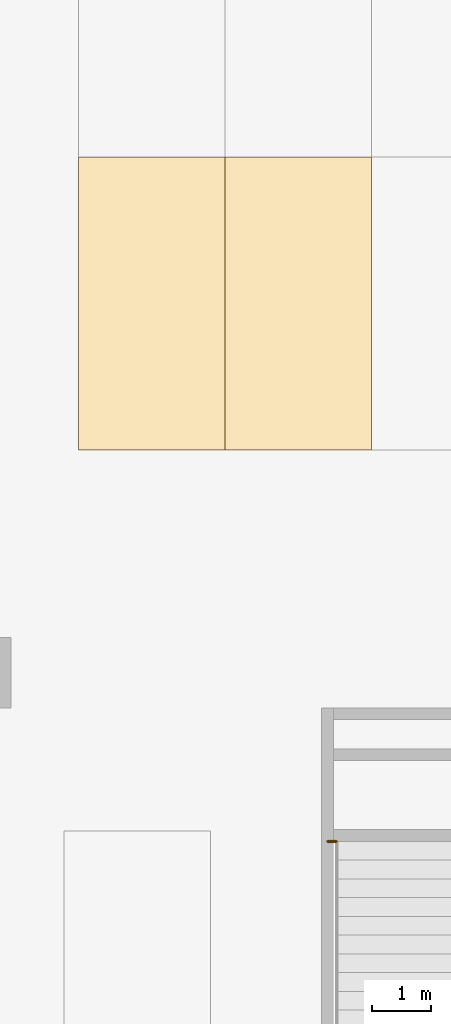
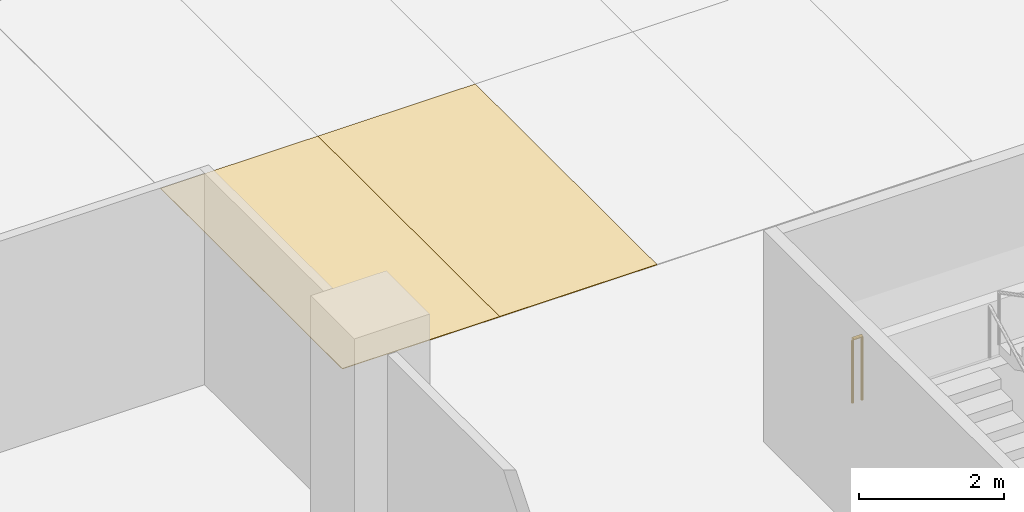
# One storey, part 20 of 31: 2 coverings, 1 railing.
"""IFC4 building model written with IfcOpenShell, lengths in metres."""

from ifc_helpers import new_model, si_unit, direction, frame, origin, origin_2d, place, context, subcontext, project, spatial, polyline, circle, outline, extrude, source, transform, mapped, material, layer, layer_set, type_object, element, save


model = new_model("IFC4")

# Units and contexts
model_context = context("Model", 3, precision=1e-05, world=origin(), true_north=direction((0.0, 1.0)))
body_context = subcontext(model_context, "Body", "Model", "MODEL_VIEW")
ifc_project = project(units=[si_unit("LENGTHUNIT", "METRE"), si_unit("AREAUNIT", "SQUARE_METRE"), si_unit("VOLUMEUNIT", "CUBIC_METRE"), si_unit("PLANEANGLEUNIT", "RADIAN"), si_unit("MASSUNIT", "GRAM", prefix="KILO")], contexts=[model_context])

# Site, building, storey
site_placement = place(None, origin())
site = spatial("IfcSite", under=ifc_project, at=site_placement, CompositionType="ELEMENT")
building_placement = place(site_placement, origin())
building = spatial("IfcBuilding", under=site, at=building_placement, Name="Altepetl Exchange Towers", CompositionType="ELEMENT")
storey_placement = place(building_placement, frame((0.0, 0.0, -4.0)))
storey = spatial("IfcBuildingStorey", under=building, at=storey_placement, Name="B1 Basement services", CompositionType="ELEMENT", Elevation=-4.0)

# Coverings
ifc_material_1 = material(Name="Road marking paint")
ifc_layer = layer(ifc_material_1, 0.010009765625)
ifc_layer_set = layer_set([ifc_layer], Name="Road marking paint")
covering_type = type_object("IfcCoveringType", Name="Parking bay marking 2500 x 5000", PredefinedType="FLOORING", material=ifc_layer_set)
covering_1_placement = place(storey_placement, origin())
element("IfcCovering", 1, at=covering_1_placement, inside=storey, type_object=covering_type, Name="Parking bay B1-040", PredefinedType="FLOORING", context=body_context, shape_type="SweptSolid", body=[
    extrude(outline(polyline([(91.75, 12.800048828125), (94.25, 12.800048828125), (94.25, 17.800048828125), (91.75, 17.800048828125), (91.75, 12.800048828125)])), origin(), (0.0, 0.0, 1.0), 0.010009765625),
])
covering_2_placement = place(storey_placement, origin())
element("IfcCovering", 2, at=covering_2_placement, inside=storey, type_object=covering_type, Name="Parking bay B1-041", PredefinedType="FLOORING", context=body_context, shape_type="SweptSolid", body=[
    extrude(outline(polyline([(94.25, 12.800048828125), (96.75, 12.800048828125), (96.75, 17.800048828125), (94.25, 17.800048828125), (94.25, 12.800048828125)])), origin(), (0.0, 0.0, 1.0), 0.010009765625),
])

# Railing
ifc_material_2 = material(Name="Laminated glass and steel", Category="steel")
railing_type = type_object("IfcRailingType", Name="Hall gallery guard 1100", PredefinedType="GUARDRAIL", material=ifc_material_2)
shared_shape = source(origin(), body_context, "Body", "SweptSolid", [
    extrude(circle(Radius=0.02001953125, at=origin_2d()), origin(), (0.0, 0.0, 1.0), 1.050048828125),
])
railing_placement = place(storey_placement, frame((96.0, 6.1201171875, 2.0)))
element("IfcRailing", 3, at=railing_placement, inside=storey, type_object=railing_type, Name="rail:P:B1:ES2land0", PredefinedType="GUARDRAIL", context=body_context, shape_type="SweptSolid", body=[
    extrude(circle(Radius=0.02490234375, at=origin_2d()), frame((0.0, 0.0, 1.0751953125), z_axis=(1.0, 0.0, 0.0), x_axis=(0.0, 1.0, 0.0)), (0.0, 0.0, 1.0), 0.14990234375),
    mapped(shared_shape, transform((0.0, 0.0, 0.0))),
    mapped(shared_shape, transform((0.14990234375, 0.0, 0.0))),
])

save(model, "model.ifc")
